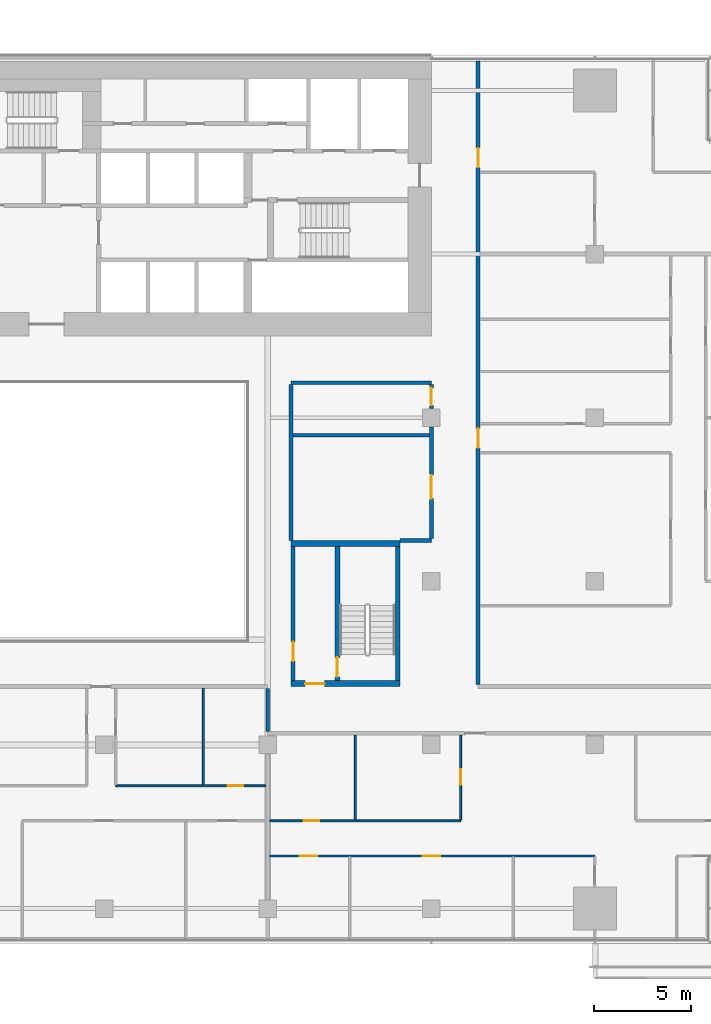
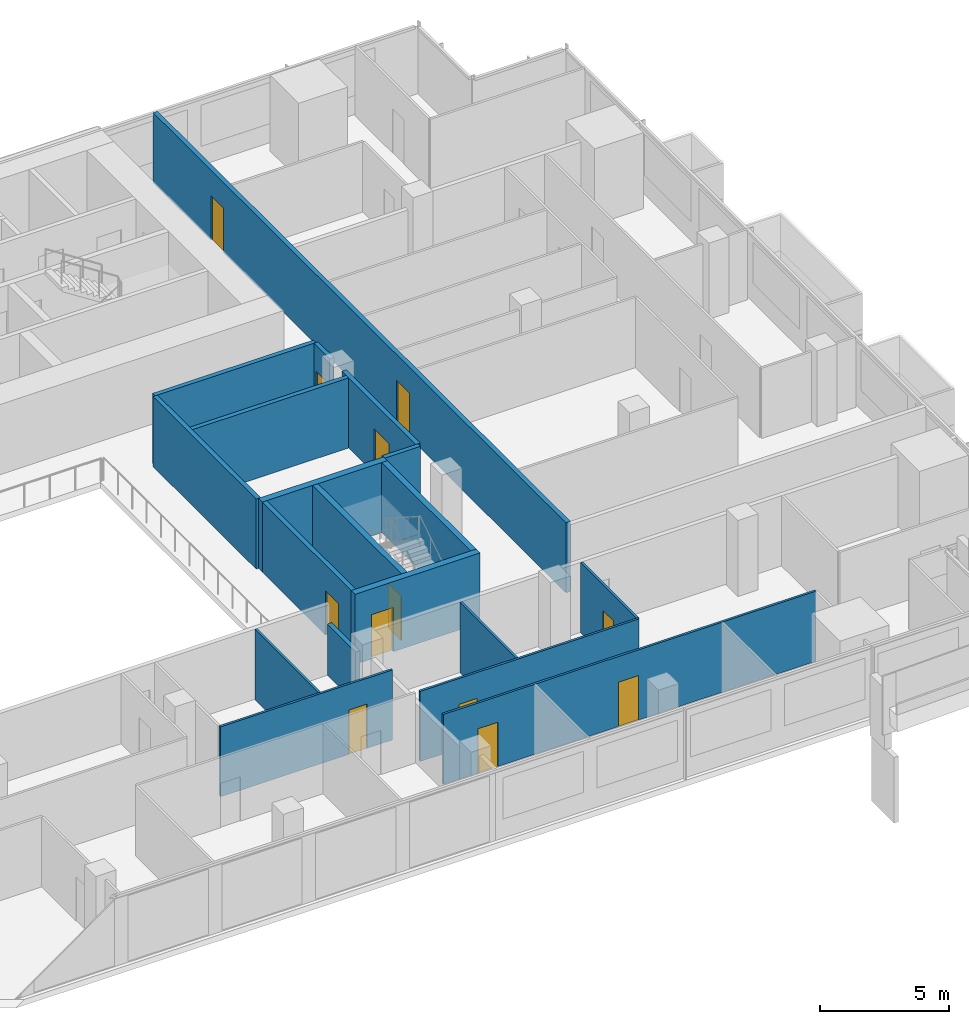
# One storey, part 19 of 29: 19 walls, 12 doors, 12 openings.
"""IFC4 building model written with IfcOpenShell, lengths in metres."""

from ifc_helpers import new_model, si_unit, direction, frame, frame_2d, origin, place, context, subcontext, project, spatial, rectangle, extrude, material, layer, layer_set, type_object, element, fill, save


model = new_model("IFC4")

# Units and contexts
model_context = context("Model", 3, precision=1e-05, world=origin(), true_north=direction((0.0, 1.0)))
body_context = subcontext(model_context, "Body", "Model", "MODEL_VIEW")
ifc_project = project(units=[si_unit("LENGTHUNIT", "METRE"), si_unit("AREAUNIT", "SQUARE_METRE"), si_unit("VOLUMEUNIT", "CUBIC_METRE"), si_unit("PLANEANGLEUNIT", "RADIAN"), si_unit("MASSUNIT", "GRAM", prefix="KILO")], contexts=[model_context])

# Site, building, storey
site_placement = place(None, origin())
site = spatial("IfcSite", under=ifc_project, at=site_placement, CompositionType="ELEMENT")
building_placement = place(site_placement, origin())
building = spatial("IfcBuilding", under=site, at=building_placement, Name="Saffron Gate Tower", CompositionType="ELEMENT")
storey_placement = place(building_placement, frame((0.0, 0.0, 48.0)))
storey = spatial("IfcBuildingStorey", under=building, at=storey_placement, Name="L10", CompositionType="ELEMENT", Elevation=48.0)

# Wall, opening, door
ifc_material_1 = material(Name="Gypsum board partition on steel studs", Category="steel")
ifc_layer_1 = layer(ifc_material_1, 0.199951171875)
ifc_layer_set_1 = layer_set([ifc_layer_1], Name="CW10 Core partition 200")
wall_type_1 = type_object("IfcWallType", Name="CW10 Core partition 200", PredefinedType="PARTITIONING", material=ifc_layer_set_1)
wall_1_placement = place(storey_placement, frame((101.5, 43.5, 0.0), z_axis=(0.0, 0.0, 1.0), x_axis=(0.0, 1.0, 0.0)))
wall_1 = element("IfcWall", 1, at=wall_1_placement, inside=storey, type_object=wall_type_1, Name="Wall CW10-L10-E-2", PredefinedType="PARTITIONING", context=body_context, shape_type="SweptSolid", body=[
    extrude(rectangle(XDim=6.89990234375, YDim=0.199951171875, at=frame_2d((3.449951171875, 0.0))), origin(), (0.0, 0.0, 1.0), 3.320068359375),
])
opening_1_placement = place(wall_1_placement, frame((1.0, 0.0, 0.0)))
opening_1 = element("IfcOpeningElement", 2, at=opening_1_placement, cuts=wall_1, Name="Opening CR-22", PredefinedType="OPENING", context=body_context, shape_type="SweptSolid", body=[
    extrude(rectangle(XDim=1.0, YDim=2.10009765625, at=frame_2d((0.5, 1.050048828125))), frame((0.0, 0.10986328125, 0.0), z_axis=(0.0, -1.0, 0.0), x_axis=(1.0, 0.0, 0.0)), (0.0, 0.0, 1.0), 0.219970703125),
])
ifc_material_2 = material(Name="Steel fire door set", Category="steel")
door_type_1 = type_object("IfcDoorType", Name="CD4 Lobby door 1000x2100 EI 120", OperationType="NOTDEFINED", PredefinedType="DOOR", material=ifc_material_2)
door_1_placement = place(opening_1_placement, origin())
door_1 = element("IfcDoor", 3, at=door_1_placement, inside=storey, type_object=door_type_1, Name="DOOR CR-22", OperationType="SINGLE_SWING_LEFT", OverallHeight=2.10009765625, OverallWidth=1.0, PredefinedType="DOOR", context=body_context, shape_type="SweptSolid", body=[
    extrude(rectangle(XDim=1.0, YDim=2.10009765625, at=frame_2d((0.5, 1.050048828125))), frame((0.0, 0.02490234375, 0.0), z_axis=(0.0, -1.0, 0.0), x_axis=(1.0, 0.0, 0.0)), (0.0, 0.0, 1.0), 0.050048828125),
])
fill(opening_1, door_1)

ifc_material_3 = material(Name="Concrete C70", Category="concrete")
ifc_layer_2 = layer(ifc_material_3, 0.25)
ifc_layer_set_2 = layer_set([ifc_layer_2], Name="CW2 RC core wall 250 C70")
wall_type_2 = type_object("IfcWallType", Name="CW2 RC core wall 250 C70", PredefinedType="SOLIDWALL", material=ifc_layer_set_2)
wall_2_placement = place(storey_placement, frame((103.77490234375, 43.5, 0.0), z_axis=(0.0, 0.0, 1.0), x_axis=(0.0, 1.0, 0.0)))
wall_2 = element("IfcWall", 4, at=wall_2_placement, inside=storey, type_object=wall_type_2, Name="Wall CW2-L10-E-3", PredefinedType="SOLIDWALL", context=body_context, shape_type="SweptSolid", body=[
    extrude(rectangle(XDim=6.89990234375, YDim=0.25, at=frame_2d((3.449951171875, 0.0))), origin(), (0.0, 0.0, 1.0), 3.320068359375),
])
opening_2_placement = place(wall_2_placement, frame((0.199951171875, 0.0, 0.0)))
opening_2 = element("IfcOpeningElement", 5, at=opening_2_placement, cuts=wall_2, Name="Opening CR-23", PredefinedType="OPENING", context=body_context, shape_type="SweptSolid", body=[
    extrude(rectangle(XDim=1.0, YDim=2.10009765625, at=frame_2d((0.5, 1.050048828125))), frame((0.0, 0.135009765625, 0.0), z_axis=(0.0, -1.0, 0.0), x_axis=(1.0, 0.0, 0.0)), (0.0, 0.0, 1.0), 0.27001953125),
])
door_type_2 = type_object("IfcDoorType", Name="CD5 Stair door 1000x2100 EI 120", OperationType="NOTDEFINED", PredefinedType="DOOR", material=ifc_material_2)
door_2_placement = place(opening_2_placement, origin())
door_2 = element("IfcDoor", 6, at=door_2_placement, inside=storey, type_object=door_type_2, Name="DOOR CR-23", OperationType="SINGLE_SWING_RIGHT", OverallHeight=2.10009765625, OverallWidth=1.0, PredefinedType="DOOR", context=body_context, shape_type="SweptSolid", body=[
    extrude(rectangle(XDim=1.0, YDim=2.10009765625, at=frame_2d((0.5, 1.050048828125))), frame((0.0, 0.02490234375, 0.0), z_axis=(0.0, -1.0, 0.0), x_axis=(1.0, 0.0, 0.0)), (0.0, 0.0, 1.0), 0.050048828125),
])
fill(opening_2, door_2)

# Wall
wall_3_placement = place(storey_placement, frame((106.875, 43.5, 0.0), z_axis=(0.0, 0.0, 1.0), x_axis=(0.0, 1.0, 0.0)))
element("IfcWall", 7, at=wall_3_placement, inside=storey, type_object=wall_type_2, Name="Wall CW2-L10-E-4", PredefinedType="SOLIDWALL", context=body_context, shape_type="SweptSolid", body=[
    extrude(rectangle(XDim=6.89990234375, YDim=0.25, at=frame_2d((3.449951171875, 0.0))), origin(), (0.0, 0.0, 1.0), 3.320068359375),
])

# Wall, opening, door
ifc_layer_3 = layer(ifc_material_3, 0.300048828125)
ifc_layer_set_3 = layer_set([ifc_layer_3], Name="CW5 RC core wall 300 C70")
wall_type_3 = type_object("IfcWallType", Name="CW5 RC core wall 300 C70", PredefinedType="SOLIDWALL", material=ifc_layer_set_3)
wall_4_placement = place(storey_placement, frame((101.39990234375, 43.35009765625, 0.0), z_axis=(0.0, 0.0, 1.0), x_axis=(1.0, 0.0, 0.0)))
wall_4 = element("IfcWall", 8, at=wall_4_placement, inside=storey, type_object=wall_type_3, Name="Wall CW5-L10-E-1", PredefinedType="SOLIDWALL", context=body_context, shape_type="SweptSolid", body=[
    extrude(rectangle(XDim=5.60009765625, YDim=0.300048828125, at=frame_2d((2.800048828125, 0.0))), origin(), (0.0, 0.0, 1.0), 3.320068359375),
])
opening_3_placement = place(wall_4_placement, frame((0.72509765625, 0.0, 0.0)))
opening_3 = element("IfcOpeningElement", 9, at=opening_3_placement, cuts=wall_4, Name="Opening CR-21", PredefinedType="OPENING", context=body_context, shape_type="SweptSolid", body=[
    extrude(rectangle(XDim=1.0, YDim=2.10009765625, at=frame_2d((0.5, 1.050048828125))), frame((0.0, 0.16015625, 0.0), z_axis=(0.0, -1.0, 0.0), x_axis=(1.0, 0.0, 0.0)), (0.0, 0.0, 1.0), 0.320068359375),
])
door_3_placement = place(opening_3_placement, origin())
door_3 = element("IfcDoor", 10, at=door_3_placement, inside=storey, type_object=door_type_1, Name="DOOR CR-21", OperationType="SINGLE_SWING_RIGHT", OverallHeight=2.10009765625, OverallWidth=1.0, PredefinedType="DOOR", context=body_context, shape_type="SweptSolid", body=[
    extrude(rectangle(XDim=1.0, YDim=2.10009765625, at=frame_2d((0.5, 1.050048828125))), frame((0.0, 0.02490234375, 0.0), z_axis=(0.0, -1.0, 0.0), x_axis=(1.0, 0.0, 0.0)), (0.0, 0.0, 1.0), 0.050048828125),
])
fill(opening_3, door_3)

# Wall
wall_5_placement = place(storey_placement, frame((101.39990234375, 50.550048828125, 0.0), z_axis=(0.0, 0.0, 1.0), x_axis=(1.0, 0.0, 0.0)))
element("IfcWall", 11, at=wall_5_placement, inside=storey, type_object=wall_type_3, Name="Wall CW5-L10-E-5", PredefinedType="SOLIDWALL", context=body_context, shape_type="SweptSolid", body=[
    extrude(rectangle(XDim=5.60009765625, YDim=0.300048828125, at=frame_2d((2.800048828125, 0.0))), origin(), (0.0, 0.0, 1.0), 3.320068359375),
])

# Wall, openings, doors
ifc_material_4 = material(Name="Plasterboard on steel studs", Category="steel")
ifc_layer_4 = layer(ifc_material_4, 0.10009765625)
ifc_layer_set_4 = layer_set([ifc_layer_4], Name="PW1 Partition 100")
wall_type_4 = type_object("IfcWallType", Name="PW1 Partition 100", PredefinedType="PARTITIONING", material=ifc_layer_set_4)
wall_6_placement = place(storey_placement, frame((117.0, 34.5, 0.0), z_axis=(0.0, 0.0, 1.0), x_axis=(-1.0, 0.0, 0.0)))
wall_6 = element("IfcWall", 12, at=wall_6_placement, inside=storey, type_object=wall_type_4, Name="Partition A2-3", PredefinedType="PARTITIONING", context=body_context, shape_type="SweptSolid", body=[
    extrude(rectangle(XDim=16.699951171875, YDim=0.10009765625, at=frame_2d((8.35009765625, 0.0))), origin(), (0.0, 0.0, 1.0), 3.320068359375),
])
opening_4_placement = place(wall_6_placement, frame((7.949951171875, 0.0, 0.0)))
opening_4 = element("IfcOpeningElement", 13, at=opening_4_placement, cuts=wall_6, Name="Opening A2-17", PredefinedType="OPENING", context=body_context, shape_type="SweptSolid", body=[
    extrude(rectangle(XDim=0.89990234375, YDim=2.10009765625, at=frame_2d((0.449951171875, 1.050048828125))), frame((0.0, 0.06005859375, 0.0), z_axis=(0.0, -1.0, 0.0), x_axis=(1.0, 0.0, 0.0)), (0.0, 0.0, 1.0), 0.1201171875),
])
opening_5_placement = place(wall_6_placement, frame((14.25, 0.0, 0.0)))
opening_5 = element("IfcOpeningElement", 14, at=opening_5_placement, cuts=wall_6, Name="Opening A2-16", PredefinedType="OPENING", context=body_context, shape_type="SweptSolid", body=[
    extrude(rectangle(XDim=0.89990234375, YDim=2.10009765625, at=frame_2d((0.449951171875, 1.050048828125))), frame((0.0, 0.06005859375, 0.0), z_axis=(0.0, -1.0, 0.0), x_axis=(1.0, 0.0, 0.0)), (0.0, 0.0, 1.0), 0.1201171875),
])
ifc_material_5 = material(Name="Timber door set", Category="wood")
door_type_3 = type_object("IfcDoorType", Name="RD1 Room door 900x2100", OperationType="NOTDEFINED", PredefinedType="DOOR", material=ifc_material_5)
door_4_placement = place(opening_4_placement, origin())
door_4 = element("IfcDoor", 15, at=door_4_placement, inside=storey, type_object=door_type_3, Name="Door A2-17", OperationType="SINGLE_SWING_LEFT", OverallHeight=2.10009765625, OverallWidth=0.89990234375, PredefinedType="DOOR", context=body_context, shape_type="SweptSolid", body=[
    extrude(rectangle(XDim=0.89990234375, YDim=2.10009765625, at=frame_2d((0.449951171875, 1.050048828125))), frame((0.0, 0.02490234375, 0.0), z_axis=(0.0, -1.0, 0.0), x_axis=(1.0, 0.0, 0.0)), (0.0, 0.0, 1.0), 0.050048828125),
])
fill(opening_4, door_4)
door_5_placement = place(opening_5_placement, origin())
door_5 = element("IfcDoor", 16, at=door_5_placement, inside=storey, type_object=door_type_3, Name="Door A2-16", OperationType="SINGLE_SWING_RIGHT", OverallHeight=2.10009765625, OverallWidth=0.89990234375, PredefinedType="DOOR", context=body_context, shape_type="SweptSolid", body=[
    extrude(rectangle(XDim=0.89990234375, YDim=2.10009765625, at=frame_2d((0.449951171875, 1.050048828125))), frame((0.0, 0.02490234375, 0.0), z_axis=(0.0, -1.0, 0.0), x_axis=(1.0, 0.0, 0.0)), (0.0, 0.0, 1.0), 0.050048828125),
])
fill(opening_5, door_5)

# Wall, opening, door
wall_7_placement = place(storey_placement, frame((92.39990234375, 38.10009765625, 0.0), z_axis=(0.0, 0.0, 1.0), x_axis=(1.0, 0.0, 0.0)))
wall_7 = element("IfcWall", 17, at=wall_7_placement, inside=storey, type_object=wall_type_4, Name="Partition A2-8", PredefinedType="PARTITIONING", context=body_context, shape_type="SweptSolid", body=[
    extrude(rectangle(XDim=7.7001953125, YDim=0.10009765625, at=frame_2d((3.85009765625, 0.0))), origin(), (0.0, 0.0, 1.0), 3.320068359375),
])
opening_6_placement = place(wall_7_placement, frame((5.75, 0.0, 0.0)))
opening_6 = element("IfcOpeningElement", 18, at=opening_6_placement, cuts=wall_7, Name="Opening A2-36", PredefinedType="OPENING", context=body_context, shape_type="SweptSolid", body=[
    extrude(rectangle(XDim=0.800048828125, YDim=2.10009765625, at=frame_2d((0.39990234375, 1.050048828125))), frame((0.0, 0.06005859375, 0.0), z_axis=(0.0, -1.0, 0.0), x_axis=(1.0, 0.0, 0.0)), (0.0, 0.0, 1.0), 0.1201171875),
])
door_type_4 = type_object("IfcDoorType", Name="RD2 Bathroom door 800x2100", OperationType="NOTDEFINED", PredefinedType="DOOR", material=ifc_material_5)
door_6_placement = place(opening_6_placement, origin())
door_6 = element("IfcDoor", 19, at=door_6_placement, inside=storey, type_object=door_type_4, Name="Door A2-36", OperationType="SINGLE_SWING_RIGHT", OverallHeight=2.10009765625, OverallWidth=0.800048828125, PredefinedType="DOOR", context=body_context, shape_type="SweptSolid", body=[
    extrude(rectangle(XDim=0.800048828125, YDim=2.10009765625, at=frame_2d((0.39990234375, 1.050048828125))), frame((0.0, 0.02490234375, 0.0), z_axis=(0.0, -1.0, 0.0), x_axis=(1.0, 0.0, 0.0)), (0.0, 0.0, 1.0), 0.050048828125),
])
fill(opening_6, door_6)

# Walls
wall_8_placement = place(storey_placement, frame((96.89990234375, 43.10009765625, 0.0), z_axis=(0.0, 0.0, 1.0), x_axis=(0.0, -1.0, 0.0)))
element("IfcWall", 20, at=wall_8_placement, inside=storey, type_object=wall_type_4, Name="Partition A2-78", PredefinedType="PARTITIONING", context=body_context, shape_type="SweptSolid", body=[
    extrude(rectangle(XDim=4.9501953125, YDim=0.10009765625, at=frame_2d((2.47509765625, 0.0))), origin(), (0.0, 0.0, 1.0), 3.320068359375),
])
wall_9_placement = place(storey_placement, frame((104.699951171875, 40.699951171875, 0.0), z_axis=(0.0, 0.0, 1.0), x_axis=(0.0, -1.0, 0.0)))
element("IfcWall", 21, at=wall_9_placement, inside=storey, type_object=wall_type_4, Name="Partition A2-84", PredefinedType="PARTITIONING", context=body_context, shape_type="SweptSolid", body=[
    extrude(rectangle(XDim=4.349853515625, YDim=0.10009765625, at=frame_2d((2.1748046875, 0.0))), origin(), (0.0, 0.0, 1.0), 3.320068359375),
])

# Wall, opening, door
wall_10_placement = place(storey_placement, frame((110.10009765625, 36.35009765625, 0.0), z_axis=(0.0, 0.0, 1.0), x_axis=(0.0, 1.0, 0.0)))
wall_10 = element("IfcWall", 22, at=wall_10_placement, inside=storey, type_object=wall_type_4, Name="Partition A2-87", PredefinedType="PARTITIONING", context=body_context, shape_type="SweptSolid", body=[
    extrude(rectangle(XDim=4.349853515625, YDim=0.10009765625, at=frame_2d((2.1748046875, 0.0))), origin(), (0.0, 0.0, 1.0), 3.320068359375),
])
opening_7_placement = place(wall_10_placement, frame((1.800048828125, 0.0, 0.0)))
opening_7 = element("IfcOpeningElement", 23, at=opening_7_placement, cuts=wall_10, Name="Opening A2-38", PredefinedType="OPENING", context=body_context, shape_type="SweptSolid", body=[
    extrude(rectangle(XDim=0.800048828125, YDim=2.10009765625, at=frame_2d((0.39990234375, 1.050048828125))), frame((0.0, 0.06005859375, 0.0), z_axis=(0.0, -1.0, 0.0), x_axis=(1.0, 0.0, 0.0)), (0.0, 0.0, 1.0), 0.1201171875),
])
door_7_placement = place(opening_7_placement, origin())
door_7 = element("IfcDoor", 24, at=door_7_placement, inside=storey, type_object=door_type_4, Name="Door A2-38", OperationType="SINGLE_SWING_RIGHT", OverallHeight=2.10009765625, OverallWidth=0.800048828125, PredefinedType="DOOR", context=body_context, shape_type="SweptSolid", body=[
    extrude(rectangle(XDim=0.800048828125, YDim=2.10009765625, at=frame_2d((0.39990234375, 1.050048828125))), frame((0.0, 0.02490234375, 0.0), z_axis=(0.0, -1.0, 0.0), x_axis=(1.0, 0.0, 0.0)), (0.0, 0.0, 1.0), 0.050048828125),
])
fill(opening_7, door_7)

wall_11_placement = place(storey_placement, frame((100.300048828125, 36.300048828125, 0.0), z_axis=(0.0, 0.0, 1.0), x_axis=(1.0, 0.0, 0.0)))
wall_11 = element("IfcWall", 25, at=wall_11_placement, inside=storey, type_object=wall_type_4, Name="Partition A2-102", PredefinedType="PARTITIONING", context=body_context, shape_type="SweptSolid", body=[
    extrude(rectangle(XDim=9.800048828125, YDim=0.10009765625, at=frame_2d((4.89990234375, 0.0))), origin(), (0.0, 0.0, 1.0), 3.320068359375),
])
opening_8_placement = place(wall_11_placement, frame((1.75, 0.0, 0.0)))
opening_8 = element("IfcOpeningElement", 26, at=opening_8_placement, cuts=wall_11, Name="Opening A2-37", PredefinedType="OPENING", context=body_context, shape_type="SweptSolid", body=[
    extrude(rectangle(XDim=0.800048828125, YDim=2.10009765625, at=frame_2d((0.39990234375, 1.050048828125))), frame((0.0, 0.06005859375, 0.0), z_axis=(0.0, -1.0, 0.0), x_axis=(1.0, 0.0, 0.0)), (0.0, 0.0, 1.0), 0.1201171875),
])
door_8_placement = place(opening_8_placement, origin())
door_8 = element("IfcDoor", 27, at=door_8_placement, inside=storey, type_object=door_type_4, Name="Door A2-37", OperationType="SINGLE_SWING_LEFT", OverallHeight=2.10009765625, OverallWidth=0.800048828125, PredefinedType="DOOR", context=body_context, shape_type="SweptSolid", body=[
    extrude(rectangle(XDim=0.800048828125, YDim=2.10009765625, at=frame_2d((0.39990234375, 1.050048828125))), frame((0.0, 0.02490234375, 0.0), z_axis=(0.0, -1.0, 0.0), x_axis=(1.0, 0.0, 0.0)), (0.0, 0.0, 1.0), 0.050048828125),
])
fill(opening_8, door_8)

# Walls
ifc_material_6 = material(Name="Clay brick masonry, rendered", Category="masonry")
ifc_layer_5 = layer(ifc_material_6, 0.199951171875)
ifc_layer_set_5 = layer_set([ifc_layer_5], Name="PW3 Corridor wall 200")
wall_type_5 = type_object("IfcWallType", Name="PW3 Corridor wall 200", PredefinedType="PARTITIONING", material=ifc_layer_set_5)
wall_12_placement = place(storey_placement, frame((107.0, 50.699951171875, 0.0), z_axis=(0.0, 0.0, 1.0), x_axis=(1.0, 0.0, 0.0)))
element("IfcWall", 28, at=wall_12_placement, inside=storey, type_object=wall_type_5, Name="Wall A2-25", PredefinedType="PARTITIONING", context=body_context, shape_type="SweptSolid", body=[
    extrude(rectangle(XDim=1.60009765625, YDim=0.199951171875, at=frame_2d((0.800048828125, 0.0))), origin(), (0.0, 0.0, 1.0), 3.320068359375),
])
wall_13_placement = place(storey_placement, frame((101.39990234375, 58.800048828125, 0.0), z_axis=(0.0, 0.0, 1.0), x_axis=(1.0, 0.0, 0.0)))
element("IfcWall", 29, at=wall_13_placement, inside=storey, type_object=wall_type_5, Name="Wall A2-38", PredefinedType="PARTITIONING", context=body_context, shape_type="SweptSolid", body=[
    extrude(rectangle(XDim=7.2001953125, YDim=0.199951171875, at=frame_2d((3.60009765625, 0.0))), origin(), (0.0, 0.0, 1.0), 3.320068359375),
])
wall_14_placement = place(storey_placement, frame((100.199951171875, 43.10009765625, 0.0), z_axis=(0.0, 0.0, 1.0), x_axis=(0.0, -1.0, 0.0)))
element("IfcWall", 30, at=wall_14_placement, inside=storey, type_object=wall_type_5, Name="Wall A2-79", PredefinedType="PARTITIONING", context=body_context, shape_type="SweptSolid", body=[
    extrude(rectangle(XDim=2.2001953125, YDim=0.199951171875, at=frame_2d((1.10009765625, 0.0))), origin(), (0.0, 0.0, 1.0), 2.429931640625),
])
wall_15_placement = place(storey_placement, frame((101.39990234375, 58.699951171875, 0.0), z_axis=(0.0, 0.0, 1.0), x_axis=(0.0, -1.0, 0.0)))
element("IfcWall", 31, at=wall_15_placement, inside=storey, type_object=wall_type_5, Name="Wall A2-82", PredefinedType="PARTITIONING", context=body_context, shape_type="SweptSolid", body=[
    extrude(rectangle(XDim=8.0, YDim=0.199951171875, at=frame_2d((4.0, 0.0))), origin(), (0.0, 0.0, 1.0), 3.320068359375),
])

# Wall, opening, door
wall_16_placement = place(storey_placement, frame((108.60009765625, 50.800048828125, 0.0), z_axis=(0.0, 0.0, 1.0), x_axis=(0.0, 1.0, 0.0)))
wall_16 = element("IfcWall", 32, at=wall_16_placement, inside=storey, type_object=wall_type_5, Name="Wall A2-85", PredefinedType="PARTITIONING", context=body_context, shape_type="SweptSolid", body=[
    extrude(rectangle(XDim=5.72998046875, YDim=0.199951171875, at=frame_2d((2.864990234375, 0.0))), origin(), (0.0, 0.0, 1.0), 3.320068359375),
])
opening_9_placement = place(wall_16_placement, frame((2.050048828125, 0.0, 0.0)))
opening_9 = element("IfcOpeningElement", 33, at=opening_9_placement, cuts=wall_16, Name="Opening A2-45", PredefinedType="OPENING", context=body_context, shape_type="SweptSolid", body=[
    extrude(rectangle(XDim=1.199951171875, YDim=2.10009765625, at=frame_2d((0.60009765625, 1.050048828125))), frame((0.0, 0.10986328125, 0.0), z_axis=(0.0, -1.0, 0.0), x_axis=(1.0, 0.0, 0.0)), (0.0, 0.0, 1.0), 0.219970703125),
])
door_type_5 = type_object("IfcDoorType", Name="HD1 Hall door 1200x2100", OperationType="NOTDEFINED", PredefinedType="DOOR", material=ifc_material_5)
door_9_placement = place(opening_9_placement, origin())
door_9 = element("IfcDoor", 34, at=door_9_placement, inside=storey, type_object=door_type_5, Name="Door A2-45", OperationType="SINGLE_SWING_RIGHT", OverallHeight=2.10009765625, OverallWidth=1.199951171875, PredefinedType="DOOR", context=body_context, shape_type="SweptSolid", body=[
    extrude(rectangle(XDim=1.199951171875, YDim=2.10009765625, at=frame_2d((0.60009765625, 1.050048828125))), frame((0.0, 0.02490234375, 0.0), z_axis=(0.0, -1.0, 0.0), x_axis=(1.0, 0.0, 0.0)), (0.0, 0.0, 1.0), 0.050048828125),
])
fill(opening_9, door_9)

wall_17_placement = place(storey_placement, frame((108.60009765625, 57.469970703125, 0.0), z_axis=(0.0, 0.0, 1.0), x_axis=(0.0, 1.0, 0.0)))
wall_17 = element("IfcWall", 35, at=wall_17_placement, inside=storey, type_object=wall_type_5, Name="Wall A2-86", PredefinedType="PARTITIONING", context=body_context, shape_type="SweptSolid", body=[
    extrude(rectangle(XDim=1.22998046875, YDim=0.199951171875, at=frame_2d((0.614990234375, 0.0))), origin(), (0.0, 0.0, 1.0), 3.320068359375),
])
opening_10_placement = place(wall_17_placement, frame((0.1650390625, 0.0, 0.0)))
opening_10 = element("IfcOpeningElement", 36, at=opening_10_placement, cuts=wall_17, Name="Opening A2-32", PredefinedType="OPENING", context=body_context, shape_type="SweptSolid", body=[
    extrude(rectangle(XDim=0.89990234375, YDim=2.10009765625, at=frame_2d((0.449951171875, 1.050048828125))), frame((0.0, 0.10986328125, 0.0), z_axis=(0.0, -1.0, 0.0), x_axis=(1.0, 0.0, 0.0)), (0.0, 0.0, 1.0), 0.219970703125),
])
door_10_placement = place(opening_10_placement, origin())
door_10 = element("IfcDoor", 37, at=door_10_placement, inside=storey, type_object=door_type_3, Name="Door A2-32", OperationType="SINGLE_SWING_RIGHT", OverallHeight=2.10009765625, OverallWidth=0.89990234375, PredefinedType="DOOR", context=body_context, shape_type="SweptSolid", body=[
    extrude(rectangle(XDim=0.89990234375, YDim=2.10009765625, at=frame_2d((0.449951171875, 1.050048828125))), frame((0.0, 0.02490234375, 0.0), z_axis=(0.0, -1.0, 0.0), x_axis=(1.0, 0.0, 0.0)), (0.0, 0.0, 1.0), 0.050048828125),
])
fill(opening_10, door_10)

# Wall, openings, doors
wall_18_placement = place(storey_placement, frame((111.0, 75.320068359375, 0.0), z_axis=(0.0, 0.0, 1.0), x_axis=(0.0, -1.0, 0.0)))
wall_18 = element("IfcWall", 38, at=wall_18_placement, inside=storey, type_object=wall_type_5, Name="Wall A2-88", PredefinedType="PARTITIONING", context=body_context, shape_type="SweptSolid", body=[
    extrude(rectangle(XDim=32.02001953125, YDim=0.199951171875, at=frame_2d((16.010009765625, 0.0))), origin(), (0.0, 0.0, 1.0), 3.320068359375),
])
opening_11_placement = place(wall_18_placement, frame((4.469970703125, 0.0, 0.0)))
opening_11 = element("IfcOpeningElement", 39, at=opening_11_placement, cuts=wall_18, Name="Opening A2-7", PredefinedType="OPENING", context=body_context, shape_type="SweptSolid", body=[
    extrude(rectangle(XDim=1.0, YDim=2.10009765625, at=frame_2d((0.5, 1.050048828125))), frame((0.0, 0.10986328125, 0.0), z_axis=(0.0, -1.0, 0.0), x_axis=(1.0, 0.0, 0.0)), (0.0, 0.0, 1.0), 0.219970703125),
])
opening_12_placement = place(wall_18_placement, frame((18.8701171875, 0.0, 0.0)))
opening_12 = element("IfcOpeningElement", 40, at=opening_12_placement, cuts=wall_18, Name="Opening A2-6", PredefinedType="OPENING", context=body_context, shape_type="SweptSolid", body=[
    extrude(rectangle(XDim=1.0, YDim=2.10009765625, at=frame_2d((0.5, 1.050048828125))), frame((0.0, 0.10986328125, 0.0), z_axis=(0.0, -1.0, 0.0), x_axis=(1.0, 0.0, 0.0)), (0.0, 0.0, 1.0), 0.219970703125),
])
ifc_material_7 = material(Name="Timber fire door set", Category="wood")
door_type_6 = type_object("IfcDoorType", Name="FD1 Flat entry door 1000x2100", OperationType="NOTDEFINED", PredefinedType="DOOR", material=ifc_material_7)
door_11_placement = place(opening_11_placement, origin())
door_11 = element("IfcDoor", 41, at=door_11_placement, inside=storey, type_object=door_type_6, Name="Door A2-7", OperationType="SINGLE_SWING_RIGHT", OverallHeight=2.10009765625, OverallWidth=1.0, PredefinedType="DOOR", context=body_context, shape_type="SweptSolid", body=[
    extrude(rectangle(XDim=1.0, YDim=2.10009765625, at=frame_2d((0.5, 1.050048828125))), frame((0.0, 0.02490234375, 0.0), z_axis=(0.0, -1.0, 0.0), x_axis=(1.0, 0.0, 0.0)), (0.0, 0.0, 1.0), 0.050048828125),
])
fill(opening_11, door_11)
door_12_placement = place(opening_12_placement, origin())
door_12 = element("IfcDoor", 42, at=door_12_placement, inside=storey, type_object=door_type_6, Name="Door A2-6", OperationType="SINGLE_SWING_LEFT", OverallHeight=2.10009765625, OverallWidth=1.0, PredefinedType="DOOR", context=body_context, shape_type="SweptSolid", body=[
    extrude(rectangle(XDim=1.0, YDim=2.10009765625, at=frame_2d((0.5, 1.050048828125))), frame((0.0, 0.02490234375, 0.0), z_axis=(0.0, -1.0, 0.0), x_axis=(1.0, 0.0, 0.0)), (0.0, 0.0, 1.0), 0.050048828125),
])
fill(opening_12, door_12)

# Wall
ifc_layer_6 = layer(ifc_material_6, 0.199951171875)
ifc_layer_set_6 = layer_set([ifc_layer_6], Name="PW5 Room wall 200")
wall_type_6 = type_object("IfcWallType", Name="PW5 Room wall 200", PredefinedType="PARTITIONING", material=ifc_layer_set_6)
wall_19_placement = place(storey_placement, frame((101.5, 56.10009765625, 0.0), z_axis=(0.0, 0.0, 1.0), x_axis=(1.0, 0.0, 0.0)))
element("IfcWall", 43, at=wall_19_placement, inside=storey, type_object=wall_type_6, Name="Wall A2-29", PredefinedType="PARTITIONING", context=body_context, shape_type="SweptSolid", body=[
    extrude(rectangle(XDim=7.0, YDim=0.199951171875, at=frame_2d((3.5, 0.0))), origin(), (0.0, 0.0, 1.0), 3.320068359375),
])

save(model, "model.ifc")
